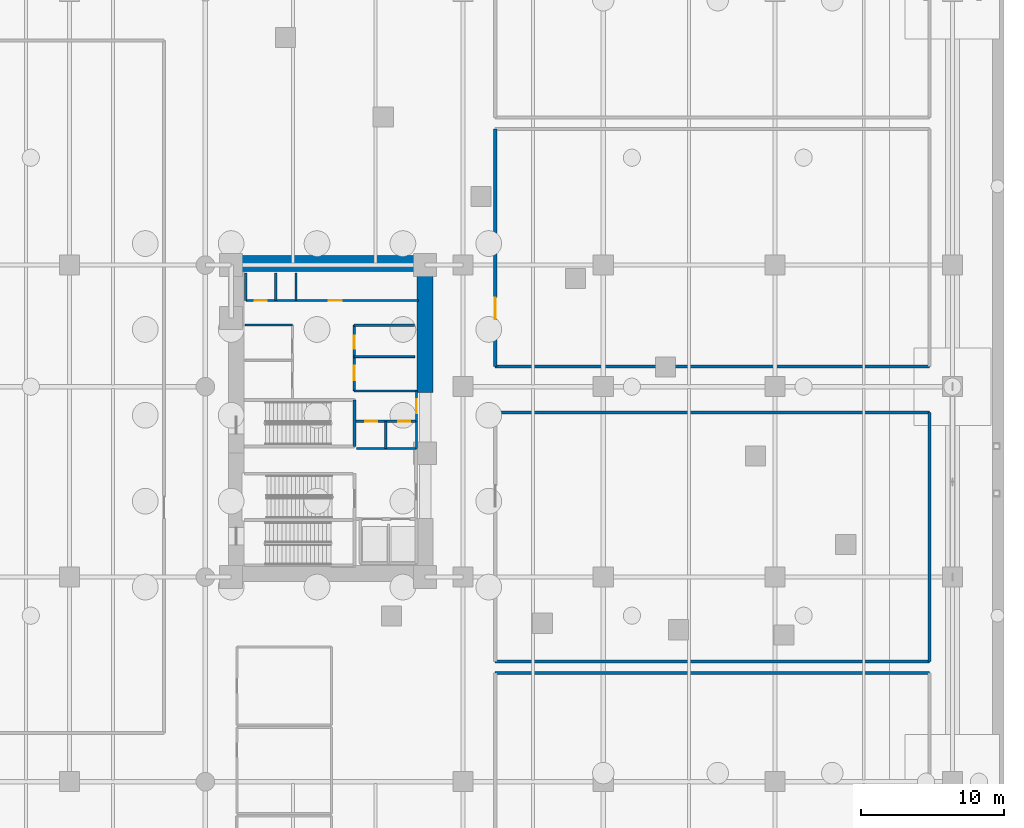
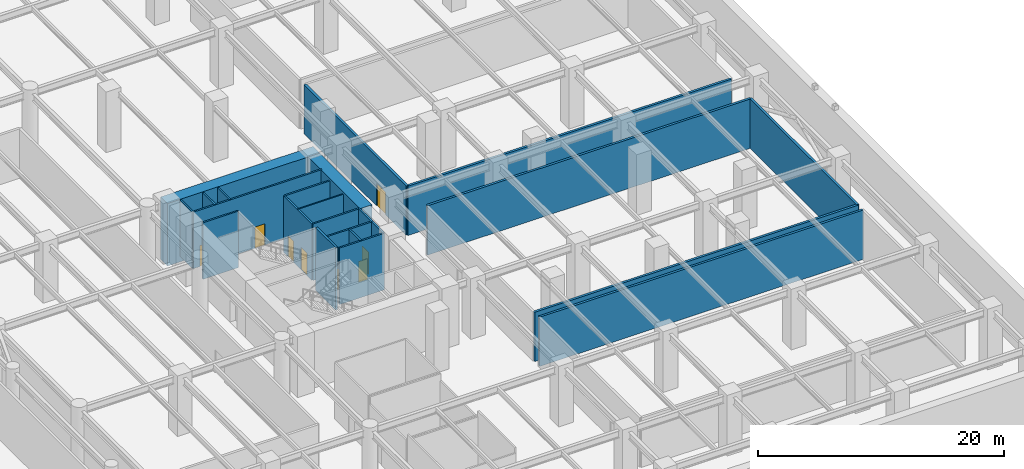
# One storey, part 21 of 37: 23 walls, 8 doors, 8 openings.
"""IFC4 building model written with IfcOpenShell, lengths in metres."""

from ifc_helpers import new_model, si_unit, direction, frame, frame_2d, origin, place, context, subcontext, project, spatial, rectangle, extrude, material, layer, layer_set, type_object, element, fill, save


model = new_model("IFC4")

# Units and contexts
model_context = context("Model", 3, precision=1e-05, world=origin(), true_north=direction((0.0, 1.0)))
body_context = subcontext(model_context, "Body", "Model", "MODEL_VIEW")
ifc_project = project(units=[si_unit("LENGTHUNIT", "METRE"), si_unit("AREAUNIT", "SQUARE_METRE"), si_unit("VOLUMEUNIT", "CUBIC_METRE"), si_unit("PLANEANGLEUNIT", "RADIAN"), si_unit("MASSUNIT", "GRAM", prefix="KILO")], contexts=[model_context])

# Site, building, storey
site_placement = place(None, origin())
site = spatial("IfcSite", under=ifc_project, at=site_placement, CompositionType="ELEMENT")
building_placement = place(site_placement, origin())
building = spatial("IfcBuilding", under=site, at=building_placement, Name="Narakoshi Arena Tower", CompositionType="ELEMENT")
storey_placement = place(building_placement, frame((0.0, 0.0, -6.0)))
storey = spatial("IfcBuildingStorey", under=building, at=storey_placement, Name="B01", CompositionType="ELEMENT", Elevation=-6.0)

# Walls
ifc_material_1 = material(Name="Concrete C40/50", Category="concrete")
ifc_layer_1 = layer(ifc_material_1, 0.219970703125)
ifc_layer_set_1 = layer_set([ifc_layer_1], Name="Concrete C40/50")
wall_type_1 = type_object("IfcWallType", Name="WL-COMP-220", PredefinedType="SOLIDWALL", material=ifc_layer_set_1)
for number, where, z_axis, x_axis, name in (
    (1, (120.800048828125, 28.0, 0.0), (0.0, 0.0, 1.0), (-1.0, 0.0, 0.0), "B01 Central Chiller and Cooling Plant Room Wall N"),
    (2, (90.449951171875, 28.800048828125, 0.0), (0.0, 0.0, 1.0), (1.0, 0.0, 0.0), "B01 Fire and Domestic Water Tank Pump Room Wall S"),
):
    element("IfcWall", number, at=place(storey_placement, frame(where, z_axis=z_axis, x_axis=x_axis)), inside=storey, type_object=wall_type_1, Name=name, PredefinedType="SOLIDWALL", context=body_context, shape_type="SweptSolid", body=[
        extrude(rectangle(XDim=30.35009765625, YDim=0.219970703125, at=frame_2d((15.175048828125, 0.0))), origin(), (0.0, 0.0, 1.0), 4.885009765625),
    ])
wall_1_placement = place(storey_placement, frame((120.800048828125, 28.800048828125, 0.0), z_axis=(0.0, 0.0, 1.0), x_axis=(0.0, 1.0, 0.0)))
element("IfcWall", 3, at=wall_1_placement, inside=storey, type_object=wall_type_1, Name="B01 Fire and Domestic Water Tank Pump Room Wall E", PredefinedType="SOLIDWALL", context=body_context, shape_type="SweptSolid", body=[
    extrude(rectangle(XDim=17.39990234375, YDim=0.219970703125, at=frame_2d((8.699951171875, 0.0))), origin(), (0.0, 0.0, 1.0), 4.885009765625),
])
for number, where, z_axis, x_axis, name in (
    (4, (120.800048828125, 46.199951171875, 0.0), (0.0, 0.0, 1.0), (-1.0, 0.0, 0.0), "B01 Fire and Domestic Water Tank Pump Room Wall N"),
    (5, (90.449951171875, 49.39990234375, 0.0), (0.0, 0.0, 1.0), (1.0, 0.0, 0.0), "B01 HV Transformer and Switchgear Room Wall S"),
):
    element("IfcWall", number, at=place(storey_placement, frame(where, z_axis=z_axis, x_axis=x_axis)), inside=storey, type_object=wall_type_1, Name=name, PredefinedType="SOLIDWALL", context=body_context, shape_type="SweptSolid", body=[
        extrude(rectangle(XDim=30.35009765625, YDim=0.219970703125, at=frame_2d((15.175048828125, 0.0))), origin(), (0.0, 0.0, 1.0), 4.885009765625),
    ])

# Wall, opening, door
wall_2_placement = place(storey_placement, frame((90.449951171875, 66.0, 0.0), z_axis=(0.0, 0.0, 1.0), x_axis=(0.0, -1.0, 0.0)))
wall_2 = element("IfcWall", 6, at=wall_2_placement, inside=storey, type_object=wall_type_1, Name="B01 HV Transformer and Switchgear Room Wall W", PredefinedType="SOLIDWALL", context=body_context, shape_type="SweptSolid", body=[
    extrude(rectangle(XDim=16.60009765625, YDim=0.219970703125, at=frame_2d((8.300048828125, 0.0))), origin(), (0.0, 0.0, 1.0), 4.885009765625),
])
opening_1_placement = place(wall_2_placement, frame((11.778076171875, 0.0, 0.0)))
opening_1 = element("IfcOpeningElement", 7, at=opening_1_placement, cuts=wall_2, Name="Opening D-09", PredefinedType="OPENING", context=body_context, shape_type="SweptSolid", body=[
    extrude(rectangle(XDim=1.5, YDim=2.25, at=frame_2d((0.75, 1.125))), frame((0.0, 0.119873046875, 0.0), z_axis=(0.0, -1.0, 0.0), x_axis=(1.0, 0.0, 0.0)), (0.0, 0.0, 1.0), 0.239990234375),
])
ifc_material_2 = material(Name="Painted galvanized steel", Category="steel")
door_type_1 = type_object("IfcDoorType", Name="DR-PLT-1500", OperationType="DOUBLE_DOOR_SINGLE_SWING", PredefinedType="DOOR", material=ifc_material_2)
door_1_placement = place(opening_1_placement, frame((1.5, 0.0, 0.0), z_axis=(0.0, 0.0, 1.0), x_axis=(-1.0, 0.0, 0.0)))
door_1 = element("IfcDoor", 8, at=door_1_placement, inside=storey, type_object=door_type_1, Name="DR-B01-031", OperationType="DOUBLE_DOOR_SINGLE_SWING", OverallHeight=2.25, OverallWidth=1.5, PredefinedType="DOOR", context=body_context, shape_type="SweptSolid", body=[
    extrude(rectangle(XDim=1.5, YDim=2.25, at=frame_2d((0.75, 1.125))), frame((0.0, 0.02490234375, 0.0), z_axis=(0.0, -1.0, 0.0), x_axis=(1.0, 0.0, 0.0)), (0.0, 0.0, 1.0), 0.050048828125),
])
fill(opening_1, door_1)

# Walls
ifc_material_3 = material(Name="Concrete C60/75", Category="concrete")
ifc_layer_2 = layer(ifc_material_3, 1.10009765625)
ifc_layer_set_2 = layer_set([ifc_layer_2], Name="Concrete C60/75")
wall_type_2 = type_object("IfcWallType", Name="WL-CORE-1100", PredefinedType="SHEAR", material=ifc_layer_set_2)
wall_3_placement = place(storey_placement, frame((71.800048828125, 56.60009765625, -0.60009765625), z_axis=(0.0, 0.0, 1.0), x_axis=(1.0, 0.0, 0.0)))
element("IfcWall", 9, at=wall_3_placement, inside=storey, type_object=wall_type_2, Name="B01 Main Core Shear Wall CW-MN-N", PredefinedType="SHEAR", context=body_context, shape_type="SweptSolid", body=[
    extrude(rectangle(XDim=14.300048828125, YDim=1.10009765625, at=frame_2d((7.14990234375, 0.0))), origin(), (0.0, 0.0, 1.0), 6.2001953125),
])
wall_4_placement = place(storey_placement, frame((85.550048828125, 47.60009765625, -0.60009765625), z_axis=(0.0, 0.0, 1.0), x_axis=(0.0, 1.0, 0.0)))
element("IfcWall", 10, at=wall_4_placement, inside=storey, type_object=wall_type_2, Name="B01 Main Core Shear Wall CW-MN-E", PredefinedType="SHEAR", context=body_context, shape_type="SweptSolid", body=[
    extrude(rectangle(XDim=8.449951171875, YDim=1.10009765625, at=frame_2d((4.22509765625, 0.0))), origin(), (0.0, 0.0, 1.0), 6.2001953125),
])

# Wall, opening, door
ifc_material_4 = material(Name="Gypsum plasterboard fire-rated partition")
ifc_layer_3 = layer(ifc_material_4, 0.1650390625)
ifc_layer_set_3 = layer_set([ifc_layer_3], Name="Gypsum plasterboard fire-rated partition")
wall_type_3 = type_object("IfcWallType", Name="WL-CORR-165", PredefinedType="PARTITIONING", material=ifc_layer_set_3)
wall_5_placement = place(storey_placement, frame((84.949951171875, 45.580078125, 0.0), z_axis=(0.0, 0.0, 1.0), x_axis=(0.0, 1.0, 0.0)))
wall_5 = element("IfcWall", 11, at=wall_5_placement, inside=storey, type_object=wall_type_3, Name="B01 Core Wall CPAS-E", PredefinedType="PARTITIONING", context=body_context, shape_type="SweptSolid", body=[
    extrude(rectangle(XDim=2.119873046875, YDim=0.1650390625, at=frame_2d((1.06005859375, 0.0))), origin(), (0.0, 0.0, 1.0), 5.60009765625),
])
opening_2_placement = place(wall_5_placement, frame((0.56005859375, 0.0, 0.0)))
opening_2 = element("IfcOpeningElement", 12, at=opening_2_placement, cuts=wall_5, Name="Opening D-06", PredefinedType="OPENING", context=body_context, shape_type="SweptSolid", body=[
    extrude(rectangle(XDim=1.0, YDim=2.199951171875, at=frame_2d((0.5, 1.10009765625))), frame((0.0, 0.092529296875, 0.0), z_axis=(0.0, -1.0, 0.0), x_axis=(1.0, 0.0, 0.0)), (0.0, 0.0, 1.0), 0.18505859375),
])
ifc_material_5 = material(Name="Stained oak solid-core timber", Category="wood")
door_type_2 = type_object("IfcDoorType", Name="DR-OFF-1000", OperationType="NOTDEFINED", PredefinedType="DOOR", material=ifc_material_5)
door_2_placement = place(opening_2_placement, frame((1.0, 0.0, 0.0), z_axis=(0.0, 0.0, 1.0), x_axis=(-1.0, 0.0, 0.0)))
door_2 = element("IfcDoor", 13, at=door_2_placement, inside=storey, type_object=door_type_2, Name="DR-B01-007", OperationType="SINGLE_SWING_LEFT", OverallHeight=2.199951171875, OverallWidth=1.0, PredefinedType="DOOR", context=body_context, shape_type="SweptSolid", body=[
    extrude(rectangle(XDim=1.0, YDim=2.199951171875, at=frame_2d((0.5, 1.10009765625))), frame((0.0, 0.02490234375, 0.0), z_axis=(0.0, -1.0, 0.0), x_axis=(1.0, 0.0, 0.0)), (0.0, 0.0, 1.0), 0.050048828125),
])
fill(opening_2, door_2)

# Walls
ifc_layer_4 = layer(ifc_material_4, 0.125)
ifc_layer_set_4 = layer_set([ifc_layer_4], Name="Gypsum plasterboard fire-rated partition")
wall_type_4 = type_object("IfcWallType", Name="WL-PART-125", PredefinedType="PARTITIONING", material=ifc_layer_set_4)
wall_6_placement = place(storey_placement, frame((80.60009765625, 50.10009765625, 0.0), z_axis=(0.0, 0.0, 1.0), x_axis=(1.0, 0.0, 0.0)))
element("IfcWall", 14, at=wall_6_placement, inside=storey, type_object=wall_type_4, Name="B01 Core Wall RCL-MR-D", PredefinedType="PARTITIONING", context=body_context, shape_type="SweptSolid", body=[
    extrude(rectangle(XDim=4.219970703125, YDim=0.125, at=frame_2d((2.10986328125, 0.0))), origin(), (0.0, 0.0, 1.0), 5.60009765625),
])
ifc_layer_5 = layer(ifc_material_1, 0.280029296875)
ifc_layer_set_5 = layer_set([ifc_layer_5], Name="Concrete C40/50")
wall_type_5 = type_object("IfcWallType", Name="WL-RISER-280", PredefinedType="PLUMBINGWALL", material=ifc_layer_set_5)
wall_7_placement = place(storey_placement, frame((84.949951171875, 43.679931640625, 0.0), z_axis=(0.0, 0.0, 1.0), x_axis=(0.0, 1.0, 0.0)))
element("IfcWall", 15, at=wall_7_placement, inside=storey, type_object=wall_type_5, Name="B01 Core Wall RSR-E", PredefinedType="PLUMBINGWALL", context=body_context, shape_type="SweptSolid", body=[
    extrude(rectangle(XDim=1.900146484375, YDim=0.1650390625, at=frame_2d((0.9501953125, 0.0))), origin(), (0.0, 0.0, 1.0), 5.60009765625),
])

# Wall, openings, doors
wall_8_placement = place(storey_placement, frame((80.719970703125, 45.580078125, 0.0), z_axis=(0.0, 0.0, 1.0), x_axis=(1.0, 0.0, 0.0)))
wall_8 = element("IfcWall", 16, at=wall_8_placement, inside=storey, type_object=wall_type_5, Name="B01 Core Wall RSR-N", PredefinedType="PLUMBINGWALL", context=body_context, shape_type="SweptSolid", body=[
    extrude(rectangle(XDim=4.22998046875, YDim=0.159912109375, at=frame_2d((2.114990234375, 0.0))), origin(), (0.0, 0.0, 1.0), 5.60009765625),
])
opening_3_placement = place(wall_8_placement, frame((0.64990234375, 0.0, 0.0)))
opening_3 = element("IfcOpeningElement", 17, at=opening_3_placement, cuts=wall_8, Name="Opening D-10", PredefinedType="OPENING", context=body_context, shape_type="SweptSolid", body=[
    extrude(rectangle(XDim=0.85009765625, YDim=2.050048828125, at=frame_2d((0.425048828125, 1.02490234375))), frame((0.0, 0.08984375, 0.0), z_axis=(0.0, -1.0, 0.0), x_axis=(1.0, 0.0, 0.0)), (0.0, 0.0, 1.0), 0.179931640625),
])
opening_4_placement = place(wall_8_placement, frame((2.949951171875, 0.0, 0.0)))
opening_4 = element("IfcOpeningElement", 18, at=opening_4_placement, cuts=wall_8, Name="Opening D-10", PredefinedType="OPENING", context=body_context, shape_type="SweptSolid", body=[
    extrude(rectangle(XDim=0.85009765625, YDim=2.050048828125, at=frame_2d((0.425048828125, 1.02490234375))), frame((0.0, 0.08984375, 0.0), z_axis=(0.0, -1.0, 0.0), x_axis=(1.0, 0.0, 0.0)), (0.0, 0.0, 1.0), 0.179931640625),
])
door_type_3 = type_object("IfcDoorType", Name="DR-RSR-850", OperationType="NOTDEFINED", PredefinedType="DOOR", material=ifc_material_2)
door_3_placement = place(opening_3_placement, frame((0.85009765625, 0.0, 0.0), z_axis=(0.0, 0.0, 1.0), x_axis=(-1.0, 0.0, 0.0)))
door_3 = element("IfcDoor", 19, at=door_3_placement, inside=storey, type_object=door_type_3, Name="DR-B01-008", OperationType="SINGLE_SWING_LEFT", OverallHeight=2.050048828125, OverallWidth=0.85009765625, PredefinedType="DOOR", context=body_context, shape_type="SweptSolid", body=[
    extrude(rectangle(XDim=0.85009765625, YDim=2.050048828125, at=frame_2d((0.425048828125, 1.02490234375))), frame((0.0, 0.02490234375, 0.0), z_axis=(0.0, -1.0, 0.0), x_axis=(1.0, 0.0, 0.0)), (0.0, 0.0, 1.0), 0.050048828125),
])
fill(opening_3, door_3)
door_4_placement = place(opening_4_placement, frame((0.85009765625, 0.0, 0.0), z_axis=(0.0, 0.0, 1.0), x_axis=(-1.0, 0.0, 0.0)))
door_4 = element("IfcDoor", 20, at=door_4_placement, inside=storey, type_object=door_type_3, Name="DR-B01-009", OperationType="SINGLE_SWING_RIGHT", OverallHeight=2.050048828125, OverallWidth=0.85009765625, PredefinedType="DOOR", context=body_context, shape_type="SweptSolid", body=[
    extrude(rectangle(XDim=0.85009765625, YDim=2.050048828125, at=frame_2d((0.425048828125, 1.02490234375))), frame((0.0, 0.02490234375, 0.0), z_axis=(0.0, -1.0, 0.0), x_axis=(1.0, 0.0, 0.0)), (0.0, 0.0, 1.0), 0.050048828125),
])
fill(opening_4, door_4)

# Walls
wall_9_placement = place(storey_placement, frame((80.760009765625, 43.679931640625, 0.0), z_axis=(0.0, 0.0, 1.0), x_axis=(1.0, 0.0, 0.0)))
element("IfcWall", 21, at=wall_9_placement, inside=storey, type_object=wall_type_5, Name="B01 Core Wall RSR-S", PredefinedType="PLUMBINGWALL", context=body_context, shape_type="SweptSolid", body=[
    extrude(rectangle(XDim=4.18994140625, YDim=0.159912109375, at=frame_2d((2.094970703125, 0.0))), origin(), (0.0, 0.0, 1.0), 5.60009765625),
])
wall_10_placement = place(storey_placement, frame((82.800048828125, 43.679931640625, 0.0), z_axis=(0.0, 0.0, 1.0), x_axis=(0.0, 1.0, 0.0)))
element("IfcWall", 22, at=wall_10_placement, inside=storey, type_object=wall_type_5, Name="B01 Core Wall RSR-M", PredefinedType="PLUMBINGWALL", context=body_context, shape_type="SweptSolid", body=[
    extrude(rectangle(XDim=1.900146484375, YDim=0.159912109375, at=frame_2d((0.9501953125, 0.0))), origin(), (0.0, 0.0, 1.0), 5.60009765625),
])
for number, where, z_axis, x_axis, name in (
    (23, (73.02001953125, 54.02001953125, 0.0), (0.0, 0.0, 1.0), (0.0, 1.0, 0.0), "B01 Core Wall OBS-W"),
    (24, (75.1201171875, 54.02001953125, 0.0), (0.0, 0.0, 1.0), (0.0, 1.0, 0.0), "B01 Core Wall OBS-M"),
    (25, (76.52001953125, 54.02001953125, 0.0), (0.0, 0.0, 1.0), (0.0, 1.0, 0.0), "B01 Core Wall OBS-E"),
):
    element("IfcWall", number, at=place(storey_placement, frame(where, z_axis=z_axis, x_axis=x_axis)), inside=storey, type_object=wall_type_5, Name=name, PredefinedType="PLUMBINGWALL", context=body_context, shape_type="SweptSolid", body=[
        extrude(rectangle(XDim=1.93994140625, YDim=0.14990234375, at=frame_2d((0.969970703125, 0.0))), origin(), (0.0, 0.0, 1.0), 5.60009765625),
    ])
ifc_material_6 = material(Name="Concrete C50/60", Category="concrete")
ifc_layer_6 = layer(ifc_material_6, 0.35009765625)
ifc_layer_set_6 = layer_set([ifc_layer_6], Name="Concrete C50/60")
wall_type_6 = type_object("IfcWallType", Name="WL-SHAFT-350", PredefinedType="SOLIDWALL", material=ifc_layer_set_6)
wall_11_placement = place(storey_placement, frame((80.6201171875, 43.830078125, -0.60009765625), z_axis=(0.0, 0.0, 1.0), x_axis=(0.0, 1.0, 0.0)))
element("IfcWall", 26, at=wall_11_placement, inside=storey, type_object=wall_type_6, Name="B01 Core Wall ST3-E", PredefinedType="SOLIDWALL", context=body_context, shape_type="SweptSolid", body=[
    extrude(rectangle(XDim=3.239990234375, YDim=0.199951171875, at=frame_2d((1.6201171875, 0.0))), origin(), (0.0, 0.0, 1.0), 6.2001953125),
])
wall_12_placement = place(storey_placement, frame((72.949951171875, 52.320068359375, 0.0), z_axis=(0.0, 0.0, 1.0), x_axis=(1.0, 0.0, 0.0)))
element("IfcWall", 27, at=wall_12_placement, inside=storey, type_object=wall_type_6, Name="B01 Core Wall LR-N", PredefinedType="SOLIDWALL", context=body_context, shape_type="SweptSolid", body=[
    extrude(rectangle(XDim=3.330078125, YDim=0.14990234375, at=frame_2d((1.6650390625, 0.0))), origin(), (0.0, 0.0, 1.0), 5.60009765625),
])

# Wall, openings, doors
wall_13_placement = place(storey_placement, frame((80.60009765625, 47.699951171875, 0.0), z_axis=(0.0, 0.0, 1.0), x_axis=(0.0, 1.0, 0.0)))
wall_13 = element("IfcWall", 28, at=wall_13_placement, inside=storey, type_object=wall_type_6, Name="B01 Core Wall MR-W", PredefinedType="SOLIDWALL", context=body_context, shape_type="SweptSolid", body=[
    extrude(rectangle(XDim=4.60009765625, YDim=0.159912109375, at=frame_2d((2.300048828125, 0.0))), origin(), (0.0, 0.0, 1.0), 5.60009765625),
])
opening_5_placement = place(wall_13_placement, frame((0.75, 0.0, 0.0)))
opening_5 = element("IfcOpeningElement", 29, at=opening_5_placement, cuts=wall_13, Name="Opening D-06", PredefinedType="OPENING", context=body_context, shape_type="SweptSolid", body=[
    extrude(rectangle(XDim=1.0, YDim=2.199951171875, at=frame_2d((0.5, 1.10009765625))), frame((0.0, 0.08984375, 0.0), z_axis=(0.0, -1.0, 0.0), x_axis=(1.0, 0.0, 0.0)), (0.0, 0.0, 1.0), 0.179931640625),
])
opening_6_placement = place(wall_13_placement, frame((2.949951171875, 0.0, 0.0)))
opening_6 = element("IfcOpeningElement", 30, at=opening_6_placement, cuts=wall_13, Name="Opening D-08", PredefinedType="OPENING", context=body_context, shape_type="SweptSolid", body=[
    extrude(rectangle(XDim=0.89990234375, YDim=2.10009765625, at=frame_2d((0.449951171875, 1.050048828125))), frame((0.0, 0.08984375, 0.0), z_axis=(0.0, -1.0, 0.0), x_axis=(1.0, 0.0, 0.0)), (0.0, 0.0, 1.0), 0.179931640625),
])
door_5_placement = place(opening_5_placement, origin())
door_5 = element("IfcDoor", 31, at=door_5_placement, inside=storey, type_object=door_type_2, Name="DR-B01-012", OperationType="SINGLE_SWING_RIGHT", OverallHeight=2.199951171875, OverallWidth=1.0, PredefinedType="DOOR", context=body_context, shape_type="SweptSolid", body=[
    extrude(rectangle(XDim=1.0, YDim=2.199951171875, at=frame_2d((0.5, 1.10009765625))), frame((0.0, 0.02490234375, 0.0), z_axis=(0.0, -1.0, 0.0), x_axis=(1.0, 0.0, 0.0)), (0.0, 0.0, 1.0), 0.050048828125),
])
fill(opening_5, door_5)
ifc_material_7 = material(Name="Moisture-resistant laminate timber", Category="wood")
door_type_4 = type_object("IfcDoorType", Name="DR-WC-900", OperationType="NOTDEFINED", PredefinedType="DOOR", material=ifc_material_7)
door_6_placement = place(opening_6_placement, origin())
door_6 = element("IfcDoor", 32, at=door_6_placement, inside=storey, type_object=door_type_4, Name="DR-B01-013", OperationType="SINGLE_SWING_LEFT", OverallHeight=2.10009765625, OverallWidth=0.89990234375, PredefinedType="DOOR", context=body_context, shape_type="SweptSolid", body=[
    extrude(rectangle(XDim=0.89990234375, YDim=2.10009765625, at=frame_2d((0.449951171875, 1.050048828125))), frame((0.0, 0.02490234375, 0.0), z_axis=(0.0, -1.0, 0.0), x_axis=(1.0, 0.0, 0.0)), (0.0, 0.0, 1.0), 0.050048828125),
])
fill(opening_6, door_6)

# Walls
wall_14_placement = place(storey_placement, frame((80.60009765625, 47.699951171875, 0.0), z_axis=(0.0, 0.0, 1.0), x_axis=(1.0, 0.0, 0.0)))
element("IfcWall", 33, at=wall_14_placement, inside=storey, type_object=wall_type_6, Name="B01 Core Wall MR-S", PredefinedType="SOLIDWALL", context=body_context, shape_type="SweptSolid", body=[
    extrude(rectangle(XDim=4.39990234375, YDim=0.159912109375, at=frame_2d((2.199951171875, 0.0))), origin(), (0.0, 0.0, 1.0), 5.60009765625),
])
wall_15_placement = place(storey_placement, frame((80.60009765625, 52.300048828125, 0.0), z_axis=(0.0, 0.0, 1.0), x_axis=(1.0, 0.0, 0.0)))
element("IfcWall", 34, at=wall_15_placement, inside=storey, type_object=wall_type_6, Name="B01 Core Wall MR-N", PredefinedType="SOLIDWALL", context=body_context, shape_type="SweptSolid", body=[
    extrude(rectangle(XDim=4.219970703125, YDim=0.159912109375, at=frame_2d((2.10986328125, 0.0))), origin(), (0.0, 0.0, 1.0), 5.60009765625),
])

# Wall, openings, doors
wall_16_placement = place(storey_placement, frame((73.02001953125, 54.02001953125, 0.0), z_axis=(0.0, 0.0, 1.0), x_axis=(1.0, 0.0, 0.0)))
wall_16 = element("IfcWall", 35, at=wall_16_placement, inside=storey, type_object=wall_type_6, Name="B01 Core Wall NSHF-S", PredefinedType="SOLIDWALL", context=body_context, shape_type="SweptSolid", body=[
    extrude(rectangle(XDim=12.080078125, YDim=0.159912109375, at=frame_2d((6.0400390625, 0.0))), origin(), (0.0, 0.0, 1.0), 5.60009765625),
])
opening_7_placement = place(wall_16_placement, frame((0.6201171875, 0.0, 0.0)))
opening_7 = element("IfcOpeningElement", 36, at=opening_7_placement, cuts=wall_16, Name="Opening D-10", PredefinedType="OPENING", context=body_context, shape_type="SweptSolid", body=[
    extrude(rectangle(XDim=0.85009765625, YDim=2.050048828125, at=frame_2d((0.425048828125, 1.02490234375))), frame((0.0, 0.08984375, 0.0), z_axis=(0.0, -1.0, 0.0), x_axis=(1.0, 0.0, 0.0)), (0.0, 0.0, 1.0), 0.179931640625),
])
opening_8_placement = place(wall_16_placement, frame((5.800048828125, 0.0, 0.0)))
opening_8 = element("IfcOpeningElement", 37, at=opening_8_placement, cuts=wall_16, Name="Opening D-08", PredefinedType="OPENING", context=body_context, shape_type="SweptSolid", body=[
    extrude(rectangle(XDim=0.89990234375, YDim=2.10009765625, at=frame_2d((0.449951171875, 1.050048828125))), frame((0.0, 0.08984375, 0.0), z_axis=(0.0, -1.0, 0.0), x_axis=(1.0, 0.0, 0.0)), (0.0, 0.0, 1.0), 0.179931640625),
])
door_7_placement = place(opening_7_placement, origin())
door_7 = element("IfcDoor", 38, at=door_7_placement, inside=storey, type_object=door_type_3, Name="DR-B01-014", OperationType="SINGLE_SWING_LEFT", OverallHeight=2.050048828125, OverallWidth=0.85009765625, PredefinedType="DOOR", context=body_context, shape_type="SweptSolid", body=[
    extrude(rectangle(XDim=0.85009765625, YDim=2.050048828125, at=frame_2d((0.425048828125, 1.02490234375))), frame((0.0, 0.02490234375, 0.0), z_axis=(0.0, -1.0, 0.0), x_axis=(1.0, 0.0, 0.0)), (0.0, 0.0, 1.0), 0.050048828125),
])
fill(opening_7, door_7)
door_8_placement = place(opening_8_placement, origin())
door_8 = element("IfcDoor", 39, at=door_8_placement, inside=storey, type_object=door_type_4, Name="DR-B01-015", OperationType="SINGLE_SWING_LEFT", OverallHeight=2.10009765625, OverallWidth=0.89990234375, PredefinedType="DOOR", context=body_context, shape_type="SweptSolid", body=[
    extrude(rectangle(XDim=0.89990234375, YDim=2.10009765625, at=frame_2d((0.449951171875, 1.050048828125))), frame((0.0, 0.02490234375, 0.0), z_axis=(0.0, -1.0, 0.0), x_axis=(1.0, 0.0, 0.0)), (0.0, 0.0, 1.0), 0.050048828125),
])
fill(opening_8, door_8)

save(model, "model.ifc")
